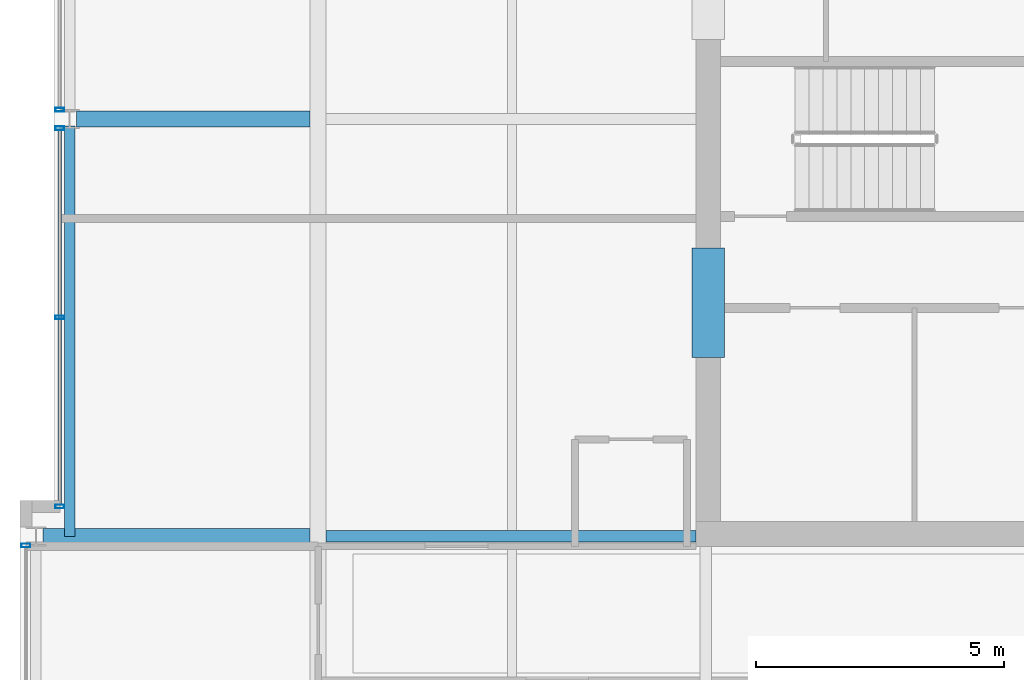
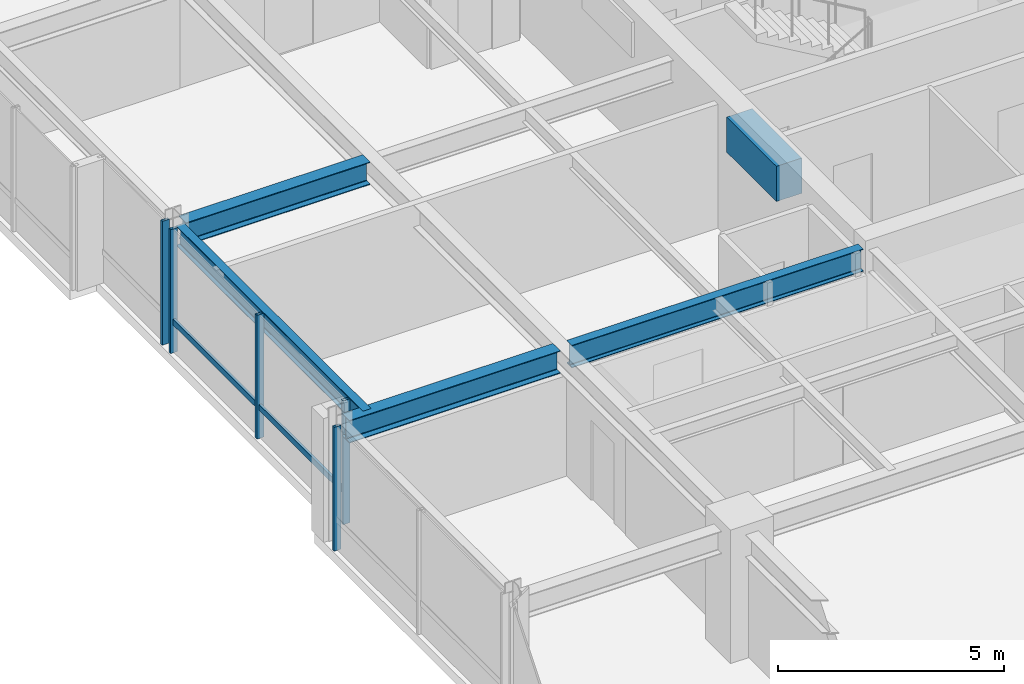
# One storey, part 8 of 30: 6 members, 5 beams, 3 elements without a shape of their own.
"""IFC4 building model written with IfcOpenShell, lengths in metres."""

from ifc_helpers import new_model, si_unit, direction, frame, origin, origin_2d, place, context, subcontext, project, spatial, rectangle, hollow_rectangle, i_section, extrude, material, layer, layer_set, material_profile, profile_set, type_object, element, aggregate, save


model = new_model("IFC4")

# Units and contexts
model_context = context("Model", 3, precision=1e-05, world=origin(), true_north=direction((0.0, 1.0)))
body_context = subcontext(model_context, "Body", "Model", "MODEL_VIEW")
ifc_project = project(units=[si_unit("LENGTHUNIT", "METRE"), si_unit("AREAUNIT", "SQUARE_METRE"), si_unit("VOLUMEUNIT", "CUBIC_METRE"), si_unit("PLANEANGLEUNIT", "RADIAN"), si_unit("MASSUNIT", "GRAM", prefix="KILO")], contexts=[model_context])

# Site, building, storey
site_placement = place(None, origin())
site = spatial("IfcSite", under=ifc_project, at=site_placement, CompositionType="ELEMENT")
building_placement = place(site_placement, origin())
building = spatial("IfcBuilding", under=site, at=building_placement, Name="Drelvath Grand Hotel", CompositionType="ELEMENT")
storey_placement = place(building_placement, frame((0.0, 0.0, 215.89990234375)))
storey = spatial("IfcBuildingStorey", under=building, at=storey_placement, Name="L56", CompositionType="ELEMENT", Elevation=215.89990234375)

# Beam
ifc_material_1 = material(Name="Concrete f'c 55 MPa", Category="concrete")
ifc_material_profile_1 = material_profile(ifc_material_1, rectangle(XDim=0.64990234375, YDim=0.949951171875, at=origin_2d()), Name="CB650X950")
ifc_profile_set_1 = profile_set([ifc_material_profile_1], Name="Concrete f'c 55 MPa")
beam_type_1 = type_object("IfcBeamType", Name="Core Coupling Lintel CB650X950", PredefinedType="LINTEL", material=ifc_profile_set_1)
beam_1_placement = place(storey_placement, frame((-8.35009765625, 22.199951171875, 2.864990234375), z_axis=(0.0, 1.0, 0.0), x_axis=(-1.0, 0.0, 0.0)))
element("IfcBeam", 1, at=beam_1_placement, inside=storey, type_object=beam_type_1, Name="L56 Core Coupling Lintel WS", PredefinedType="LINTEL", context=body_context, shape_type="SweptSolid", body=[
    extrude(rectangle(XDim=0.64990234375, YDim=0.949951171875, at=origin_2d()), origin(), (0.0, 0.0, 1.0), 2.199951171875),
])

# Curtain wall, member
ifc_material_2 = material(Name="Platinum-Mist Anodised Aluminium Frame", Category="aluminium")
ifc_layer = layer(ifc_material_2, 0.199951171875)
ifc_layer_set = layer_set([ifc_layer], Name="Platinum-Mist Anodised Aluminium Frame")
curtain_wall_type = type_object("IfcCurtainWallType", Name="Stick Curtain Wall CW-05 Platinum Mist High-Rise", PredefinedType="NOTDEFINED", material=ifc_layer_set)
curtain_wall_1_placement = place(storey_placement, origin())
curtain_wall_1 = element("IfcCurtainWall", 2, at=curtain_wall_1_placement, inside=storey, type_object=curtain_wall_type, Name="L56 CW-05 Curtain Wall CW05-L56-WM1", PredefinedType="NOTDEFINED")
ifc_material_profile_2 = material_profile(ifc_material_2, hollow_rectangle(XDim=0.06494140625, YDim=0.159912109375, WallThickness=0.00390625, at=origin_2d()), Name="HSS160X65X4")
ifc_profile_set_2 = profile_set([ifc_material_profile_2], Name="Platinum-Mist Anodised Aluminium Frame")
member_type_1 = type_object("IfcMemberType", Name="Curtain Wall Horizontal Transom CW-05 HSS160X65X4", PredefinedType="USERDEFINED", material=ifc_profile_set_2)
member_1_placement = place(storey_placement, frame((-21.39990234375, 19.239990234375, 0.835205078125), z_axis=(0.0, 1.0, 0.0), x_axis=(-1.0, 0.0, 0.0)))
member_1 = element("IfcMember", 3, at=member_1_placement, type_object=member_type_1, Name="CW05-L56-WM1 Sill Transom", ObjectType="TRANSOM", PredefinedType="USERDEFINED", context=body_context, shape_type="SweptSolid", body=[
    extrude(hollow_rectangle(XDim=0.06494140625, YDim=0.159912109375, WallThickness=0.00390625, at=origin_2d()), origin(), (0.0, 0.0, 1.0), 7.53466796875),
])

curtain_wall_2_placement = place(storey_placement, origin())
curtain_wall_2 = element("IfcCurtainWall", 4, at=curtain_wall_2_placement, inside=storey, type_object=curtain_wall_type, Name="L56 CW-05 Curtain Wall CW05-L56-WS2", PredefinedType="NOTDEFINED")
ifc_material_profile_3 = material_profile(ifc_material_2, hollow_rectangle(XDim=0.074951171875, YDim=0.179931640625, WallThickness=0.0048828125, at=origin_2d()), Name="HSS180X75X5")
ifc_profile_set_3 = profile_set([ifc_material_profile_3], Name="Platinum-Mist Anodised Aluminium Frame")
member_type_2 = type_object("IfcMemberType", Name="Curtain Wall Vertical Mullion CW-05 HSS180X75X5", PredefinedType="MULLION", material=ifc_profile_set_3)
member_2_placement = place(storey_placement, frame((-22.080078125, 18.414794921875, 0.0), z_axis=(0.0, 0.0, 1.0), x_axis=(0.0, 1.0, 0.0)))
member_2 = element("IfcMember", 5, at=member_2_placement, type_object=member_type_2, Name="CW05-L56-WS2 Mullion 3", PredefinedType="MULLION", context=body_context, shape_type="SweptSolid", body=[
    extrude(hollow_rectangle(XDim=0.074951171875, YDim=0.179931640625, WallThickness=0.0048828125, at=origin_2d()), origin(), (0.0, 0.0, 1.0), 3.340087890625),
])
aggregate(curtain_wall_2, [member_2])

# Member
member_3_placement = place(storey_placement, frame((-21.39990234375, 19.199951171875, 0.0), z_axis=(0.0, 0.0, 1.0), x_axis=(0.0, 1.0, 0.0)))
member_3 = element("IfcMember", 6, at=member_3_placement, type_object=member_type_2, Name="CW05-L56-WM1 Mullion 1", PredefinedType="MULLION", context=body_context, shape_type="SweptSolid", body=[
    extrude(hollow_rectangle(XDim=0.074951171875, YDim=0.179931640625, WallThickness=0.0048828125, at=origin_2d()), origin(), (0.0, 0.0, 1.0), 3.340087890625),
])

member_4_placement = place(storey_placement, frame((-21.39990234375, 23.00732421875, 0.0), z_axis=(0.0, 0.0, 1.0), x_axis=(0.0, 1.0, 0.0)))
member_4 = element("IfcMember", 7, at=member_4_placement, type_object=member_type_2, Name="CW05-L56-WM1 Mullion 2", PredefinedType="MULLION", context=body_context, shape_type="SweptSolid", body=[
    extrude(hollow_rectangle(XDim=0.074951171875, YDim=0.179931640625, WallThickness=0.0048828125, at=origin_2d()), origin(), (0.0, 0.0, 1.0), 3.340087890625),
])

member_5_placement = place(storey_placement, frame((-21.39990234375, 26.814697265625, 0.0), z_axis=(0.0, 0.0, 1.0), x_axis=(0.0, 1.0, 0.0)))
member_5 = element("IfcMember", 8, at=member_5_placement, type_object=member_type_2, Name="CW05-L56-WM1 Mullion 3", PredefinedType="MULLION", context=body_context, shape_type="SweptSolid", body=[
    extrude(hollow_rectangle(XDim=0.074951171875, YDim=0.179931640625, WallThickness=0.0048828125, at=origin_2d()), origin(), (0.0, 0.0, 1.0), 3.340087890625),
])

aggregate(curtain_wall_1, [member_3, member_4, member_5, member_1])

# Curtain wall, member
curtain_wall_3_placement = place(storey_placement, origin())
curtain_wall_3 = element("IfcCurtainWall", 9, at=curtain_wall_3_placement, inside=storey, type_object=curtain_wall_type, Name="L56 CW-05 Curtain Wall CW05-L56-WM2", PredefinedType="NOTDEFINED")
member_6_placement = place(storey_placement, frame((-21.39990234375, 27.185302734375, 0.0), z_axis=(0.0, 0.0, 1.0), x_axis=(0.0, 1.0, 0.0)))
member_6 = element("IfcMember", 10, at=member_6_placement, type_object=member_type_2, Name="CW05-L56-WM2 Mullion 1", PredefinedType="MULLION", context=body_context, shape_type="SweptSolid", body=[
    extrude(hollow_rectangle(XDim=0.074951171875, YDim=0.179931640625, WallThickness=0.0048828125, at=origin_2d()), origin(), (0.0, 0.0, 1.0), 3.340087890625),
])
aggregate(curtain_wall_3, [member_6])

# Beams
ifc_material_3 = material(Name="Steel ASTM A992 Gr 50", Category="steel")
ifc_material_profile_4 = material_profile(ifc_material_3, i_section(OverallWidth=0.210205078125, OverallDepth=0.53662109375, WebThickness=0.010986328125, FlangeThickness=0.017333984375, FilletRadius=0.01806640625, at=origin_2d()), Name="W21X68")
ifc_profile_set_4 = profile_set([ifc_material_profile_4], Name="Steel ASTM A992 Gr 50")
beam_type_2 = type_object("IfcBeamType", Name="Perimeter Spandrel Beam W21X68", PredefinedType="SPANDREL", material=ifc_profile_set_4)
beam_2_placement = place(storey_placement, frame((-21.199951171875, 18.60009765625, 3.07177734375), z_axis=(0.0, 1.0, 0.0), x_axis=(-1.0, 0.0, 0.0)))
element("IfcBeam", 11, at=beam_2_placement, inside=storey, type_object=beam_type_2, Name="L56 Spandrel West Mid S", PredefinedType="SPANDREL", context=body_context, shape_type="SweptSolid", body=[
    extrude(i_section(OverallWidth=0.210205078125, OverallDepth=0.53662109375, WebThickness=0.010986328125, FlangeThickness=0.017333984375, FilletRadius=0.01806640625, at=origin_2d()), origin(), (0.0, 0.0, 1.0), 8.260009765625),
])
ifc_material_profile_5 = material_profile(ifc_material_3, i_section(OverallWidth=0.323974609375, OverallDepth=0.611083984375, WebThickness=0.0126953125, FlangeThickness=0.01904296875, FilletRadius=0.02197265625, at=origin_2d()), Name="W24X104")
ifc_profile_set_5 = profile_set([ifc_material_profile_5], Name="Steel ASTM A992 Gr 50")
beam_type_3 = type_object("IfcBeamType", Name="Primary Floor Girder W24X104", PredefinedType="BEAM", material=ifc_profile_set_5)
beam_3_placement = place(storey_placement, frame((-21.739990234375, 18.60009765625, 3.034423828125), z_axis=(1.0, 0.0, 0.0), x_axis=(0.0, 1.0, 0.0)))
element("IfcBeam", 12, at=beam_3_placement, inside=storey, type_object=beam_type_3, Name="L56 West Wing Girder D", PredefinedType="BEAM", context=body_context, shape_type="SweptSolid", body=[
    extrude(i_section(OverallWidth=0.323974609375, OverallDepth=0.611083984375, WebThickness=0.0126953125, FlangeThickness=0.01904296875, FilletRadius=0.02197265625, at=origin_2d()), origin(), (0.0, 0.0, 1.0), 5.3779296875),
])
beam_4_placement = place(storey_placement, frame((-21.06005859375, 27.0, 3.034423828125), z_axis=(1.0, 0.0, 0.0), x_axis=(0.0, 1.0, 0.0)))
element("IfcBeam", 13, at=beam_4_placement, inside=storey, type_object=beam_type_3, Name="L56 West Wing Girder E", PredefinedType="BEAM", context=body_context, shape_type="SweptSolid", body=[
    extrude(i_section(OverallWidth=0.323974609375, OverallDepth=0.611083984375, WebThickness=0.0126953125, FlangeThickness=0.01904296875, FilletRadius=0.02197265625, at=origin_2d()), origin(), (0.0, 0.0, 1.0), 4.697998046875),
])
ifc_material_profile_6 = material_profile(ifc_material_3, i_section(OverallWidth=0.228271484375, OverallDepth=0.607666015625, WebThickness=0.01123046875, FlangeThickness=0.017333984375, FilletRadius=0.02001953125, at=origin_2d()), Name="W24X76")
ifc_profile_set_6 = profile_set([ifc_material_profile_6], Name="Steel ASTM A992 Gr 50")
beam_type_4 = type_object("IfcBeamType", Name="Primary Floor Girder W24X76", PredefinedType="BEAM", material=ifc_profile_set_6)
beam_5_placement = place(storey_placement, frame((-16.0380859375, 18.60009765625, 3.036376953125), z_axis=(1.0, 0.0, 0.0), x_axis=(0.0, 1.0, 0.0)))
element("IfcBeam", 14, at=beam_5_placement, inside=storey, type_object=beam_type_4, Name="L56 West Core Tie D", PredefinedType="BEAM", context=body_context, shape_type="SweptSolid", body=[
    extrude(i_section(OverallWidth=0.228271484375, OverallDepth=0.607666015625, WebThickness=0.01123046875, FlangeThickness=0.017333984375, FilletRadius=0.02001953125, at=origin_2d()), origin(), (0.0, 0.0, 1.0), 7.43798828125),
])

save(model, "model.ifc")
